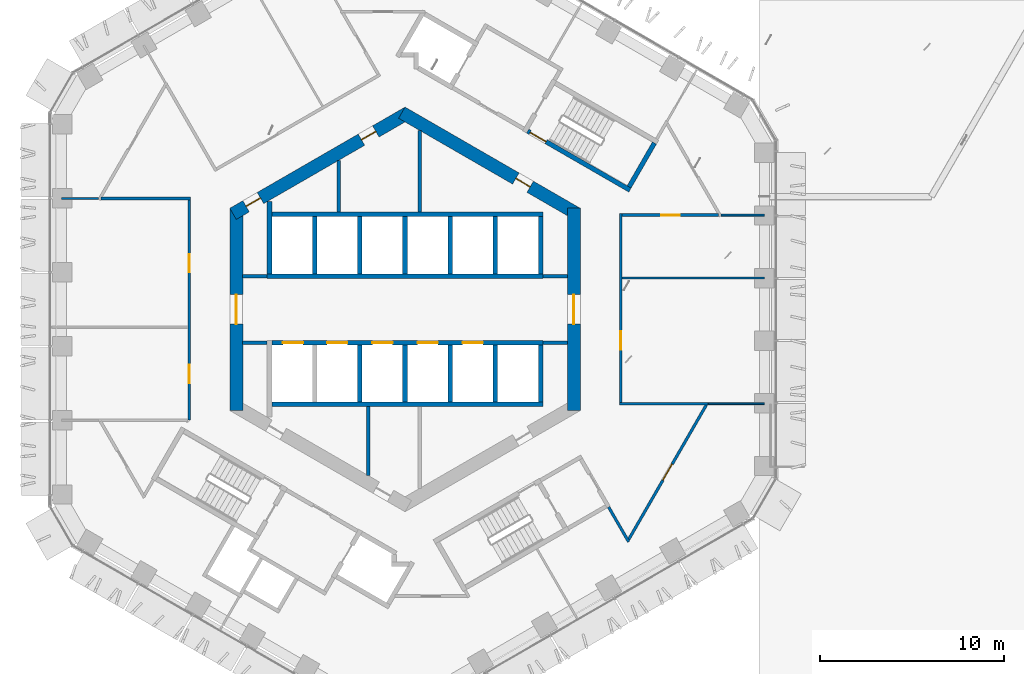
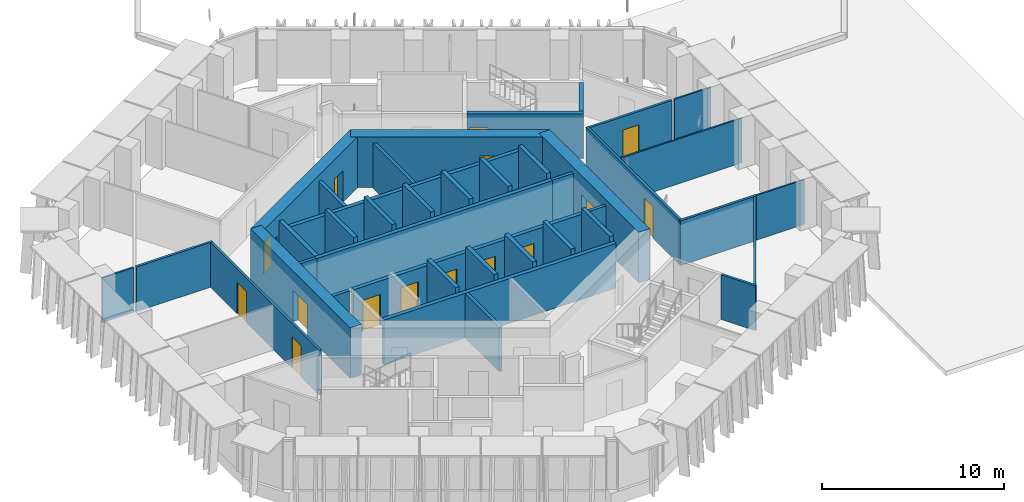
# One storey, part 15 of 25: 40 walls, 16 doors, 16 openings.
"""IFC4 building model written with IfcOpenShell, lengths in metres."""

from ifc_helpers import new_model, si_unit, direction, frame, frame_2d, origin, place, context, subcontext, project, spatial, rectangle, extrude, material, layer, layer_set, type_object, element, fill, save


model = new_model("IFC4")

# Units and contexts
model_context = context("Model", 3, precision=1e-05, world=origin(), true_north=direction((0.0, 1.0)))
body_context = subcontext(model_context, "Body", "Model", "MODEL_VIEW")
ifc_project = project(units=[si_unit("LENGTHUNIT", "METRE"), si_unit("AREAUNIT", "SQUARE_METRE"), si_unit("VOLUMEUNIT", "CUBIC_METRE"), si_unit("PLANEANGLEUNIT", "RADIAN"), si_unit("MASSUNIT", "GRAM", prefix="KILO")], contexts=[model_context])

# Site, building, storey
site_placement = place(None, origin())
site = spatial("IfcSite", under=ifc_project, at=site_placement, CompositionType="ELEMENT")
building_placement = place(site_placement, origin())
building = spatial("IfcBuilding", under=site, at=building_placement, Name="Ayvan Gate Tower", CompositionType="ELEMENT")
storey_placement = place(building_placement, frame((0.0, 0.0, 132.5)))
storey = spatial("IfcBuildingStorey", under=building, at=storey_placement, Name="L35", CompositionType="ELEMENT", Elevation=132.5)

# Wall, opening, door
ifc_material_1 = material(Name="Concrete C70/85", Category="concrete")
ifc_layer_1 = layer(ifc_material_1, 0.699951171875)
ifc_layer_set_1 = layer_set([ifc_layer_1], Name="Concrete C70/85")
wall_type_1 = type_object("IfcWallType", Name="Core wall 700 C70/85", PredefinedType="SHEAR", material=ifc_layer_set_1)
wall_1_placement = place(storey_placement, frame((9.14990234375, -5.48486328125, 0.0), z_axis=(0.0, 0.0, 1.0), x_axis=(0.0, 1.0, 0.0)))
wall_1 = element("IfcWall", 1, at=wall_1_placement, inside=storey, type_object=wall_type_1, Name="CORE-L35-0", PredefinedType="SHEAR", context=body_context, shape_type="SweptSolid", body=[
    extrude(rectangle(XDim=10.9697265625, YDim=0.699951171875, at=frame_2d((5.48486328125, 0.0))), origin(), (0.0, 0.0, 1.0), 3.39990234375),
])
opening_1_placement = place(wall_1_placement, frame((4.684814453125, 0.0, 0.0)))
opening_1 = element("IfcOpeningElement", 2, at=opening_1_placement, cuts=wall_1, Name="Opening L35-D36", PredefinedType="OPENING", context=body_context, shape_type="SweptSolid", body=[
    extrude(rectangle(XDim=1.60009765625, YDim=2.10009765625, at=frame_2d((0.800048828125, 1.050048828125))), frame((0.0, 0.35986328125, 0.0), z_axis=(0.0, -1.0, 0.0), x_axis=(1.0, 0.0, 0.0)), (0.0, 0.0, 1.0), 0.719970703125),
])
ifc_material_2 = material(Name="Timber door leaf", Category="wood")
door_type_1 = type_object("IfcDoorType", Name="DT-1600", OperationType="NOTDEFINED", PredefinedType="DOOR", material=ifc_material_2)
door_1_placement = place(opening_1_placement, origin())
door_1 = element("IfcDoor", 3, at=door_1_placement, inside=storey, type_object=door_type_1, Name="CD-L35-36", OperationType="SINGLE_SWING_LEFT", OverallHeight=2.10009765625, OverallWidth=1.60009765625, PredefinedType="DOOR", context=body_context, shape_type="SweptSolid", body=[
    extrude(rectangle(XDim=1.60009765625, YDim=2.10009765625, at=frame_2d((0.800048828125, 1.050048828125))), frame((0.0, 0.02490234375, 0.0), z_axis=(0.0, -1.0, 0.0), x_axis=(1.0, 0.0, 0.0)), (0.0, 0.0, 1.0), 0.050048828125),
])
fill(opening_1, door_1)

wall_2_placement = place(storey_placement, frame((9.324951171875, 5.181640625, 0.0), z_axis=(0.0, 0.0, 1.0), x_axis=(-0.866023993627, 0.500002442456, 0.0)))
wall_2 = element("IfcWall", 4, at=wall_2_placement, inside=storey, type_object=wall_type_1, Name="CORE-L35-1", PredefinedType="SHEAR", context=body_context, shape_type="SweptSolid", body=[
    extrude(rectangle(XDim=10.9697265625, YDim=0.699951171875, at=frame_2d((5.48486328125, 0.0))), origin(), (0.0, 0.0, 1.0), 3.39990234375),
])
opening_2_placement = place(wall_2_placement, frame((2.9326171875, 0.0, 0.0)))
opening_2 = element("IfcOpeningElement", 5, at=opening_2_placement, cuts=wall_2, Name="Opening L35-D32", PredefinedType="OPENING", context=body_context, shape_type="SweptSolid", body=[
    extrude(rectangle(XDim=0.89990234375, YDim=2.10009765625, at=frame_2d((0.449951171875, 1.050048828125))), frame((0.0, 0.35986328125, 0.0), z_axis=(0.0, -1.0, 0.0), x_axis=(1.0, 0.0, 0.0)), (0.0, 0.0, 1.0), 0.719970703125),
])
door_type_2 = type_object("IfcDoorType", Name="DT-900", OperationType="NOTDEFINED", PredefinedType="DOOR", material=ifc_material_2)
door_2_placement = place(opening_2_placement, origin())
door_2 = element("IfcDoor", 6, at=door_2_placement, inside=storey, type_object=door_type_2, Name="CD-L35-32", OperationType="SINGLE_SWING_LEFT", OverallHeight=2.10009765625, OverallWidth=0.89990234375, PredefinedType="DOOR", context=body_context, shape_type="SweptSolid", body=[
    extrude(rectangle(XDim=0.89990234375, YDim=2.10009765625, at=frame_2d((0.449951171875, 1.050048828125))), frame((0.0, 0.02490234375, 0.0), z_axis=(0.0, -1.0, 0.0), x_axis=(1.0, 0.0, 0.0)), (0.0, 0.0, 1.0), 0.050048828125),
])
fill(opening_2, door_2)

# Wall, openings, doors
wall_3_placement = place(storey_placement, frame((0.175048828125, 10.66650390625, 0.0), z_axis=(0.0, 0.0, 1.0), x_axis=(-0.866023993627, -0.500002442456, 0.0)))
wall_3 = element("IfcWall", 7, at=wall_3_placement, inside=storey, type_object=wall_type_1, Name="CORE-L35-2", PredefinedType="SHEAR", context=body_context, shape_type="SweptSolid", body=[
    extrude(rectangle(XDim=10.9697265625, YDim=0.699951171875, at=frame_2d((5.48486328125, 0.0))), origin(), (0.0, 0.0, 1.0), 3.39990234375),
])
opening_3_placement = place(wall_3_placement, frame((9.253662109375, 0.0, 0.0)))
opening_3 = element("IfcOpeningElement", 8, at=opening_3_placement, cuts=wall_3, Name="Opening L35-D30", PredefinedType="OPENING", context=body_context, shape_type="SweptSolid", body=[
    extrude(rectangle(XDim=0.89990234375, YDim=2.10009765625, at=frame_2d((0.449951171875, 1.050048828125))), frame((0.0, 0.35986328125, 0.0), z_axis=(0.0, -1.0, 0.0), x_axis=(1.0, 0.0, 0.0)), (0.0, 0.0, 1.0), 0.719970703125),
])
opening_4_placement = place(wall_3_placement, frame((2.033203125, 0.0, 0.0)))
opening_4 = element("IfcOpeningElement", 9, at=opening_4_placement, cuts=wall_3, Name="Opening L35-D31", PredefinedType="OPENING", context=body_context, shape_type="SweptSolid", body=[
    extrude(rectangle(XDim=0.89990234375, YDim=2.10009765625, at=frame_2d((0.449951171875, 1.050048828125))), frame((0.0, 0.35986328125, 0.0), z_axis=(0.0, -1.0, 0.0), x_axis=(1.0, 0.0, 0.0)), (0.0, 0.0, 1.0), 0.719970703125),
])
door_3_placement = place(opening_3_placement, origin())
door_3 = element("IfcDoor", 10, at=door_3_placement, inside=storey, type_object=door_type_2, Name="CD-L35-30", OperationType="SINGLE_SWING_LEFT", OverallHeight=2.10009765625, OverallWidth=0.89990234375, PredefinedType="DOOR", context=body_context, shape_type="SweptSolid", body=[
    extrude(rectangle(XDim=0.89990234375, YDim=2.10009765625, at=frame_2d((0.449951171875, 1.050048828125))), frame((0.0, 0.02490234375, 0.0), z_axis=(0.0, -1.0, 0.0), x_axis=(1.0, 0.0, 0.0)), (0.0, 0.0, 1.0), 0.050048828125),
])
fill(opening_3, door_3)
door_4_placement = place(opening_4_placement, origin())
door_4 = element("IfcDoor", 11, at=door_4_placement, inside=storey, type_object=door_type_2, Name="CD-L35-31", OperationType="SINGLE_SWING_RIGHT", OverallHeight=2.10009765625, OverallWidth=0.89990234375, PredefinedType="DOOR", context=body_context, shape_type="SweptSolid", body=[
    extrude(rectangle(XDim=0.89990234375, YDim=2.10009765625, at=frame_2d((0.449951171875, 1.050048828125))), frame((0.0, 0.02490234375, 0.0), z_axis=(0.0, -1.0, 0.0), x_axis=(1.0, 0.0, 0.0)), (0.0, 0.0, 1.0), 0.050048828125),
])
fill(opening_4, door_4)

# Wall, opening, door
wall_4_placement = place(storey_placement, frame((-9.14990234375, 5.48486328125, 0.0), z_axis=(0.0, 0.0, 1.0), x_axis=(0.0, -1.0, 0.0)))
wall_4 = element("IfcWall", 12, at=wall_4_placement, inside=storey, type_object=wall_type_1, Name="CORE-L35-3", PredefinedType="SHEAR", context=body_context, shape_type="SweptSolid", body=[
    extrude(rectangle(XDim=10.9697265625, YDim=0.699951171875, at=frame_2d((5.48486328125, 0.0))), origin(), (0.0, 0.0, 1.0), 3.39990234375),
])
opening_5_placement = place(wall_4_placement, frame((4.684814453125, 0.0, 0.0)))
opening_5 = element("IfcOpeningElement", 13, at=opening_5_placement, cuts=wall_4, Name="Opening L35-D37", PredefinedType="OPENING", context=body_context, shape_type="SweptSolid", body=[
    extrude(rectangle(XDim=1.60009765625, YDim=2.10009765625, at=frame_2d((0.800048828125, 1.050048828125))), frame((0.0, 0.35986328125, 0.0), z_axis=(0.0, -1.0, 0.0), x_axis=(1.0, 0.0, 0.0)), (0.0, 0.0, 1.0), 0.719970703125),
])
door_5_placement = place(opening_5_placement, origin())
door_5 = element("IfcDoor", 14, at=door_5_placement, inside=storey, type_object=door_type_1, Name="CD-L35-37", OperationType="SINGLE_SWING_RIGHT", OverallHeight=2.10009765625, OverallWidth=1.60009765625, PredefinedType="DOOR", context=body_context, shape_type="SweptSolid", body=[
    extrude(rectangle(XDim=1.60009765625, YDim=2.10009765625, at=frame_2d((0.800048828125, 1.050048828125))), frame((0.0, 0.02490234375, 0.0), z_axis=(0.0, -1.0, 0.0), x_axis=(1.0, 0.0, 0.0)), (0.0, 0.0, 1.0), 0.050048828125),
])
fill(opening_5, door_5)

# Wall
ifc_material_3 = material(Name="Plasterboard on steel stud", Category="steel")
ifc_layer_2 = layer(ifc_material_3, 0.14990234375)
ifc_layer_set_2 = layer_set([ifc_layer_2], Name="Plasterboard on steel stud")
wall_type_2 = type_object("IfcWallType", Name="WT-CORR-150", PredefinedType="PARTITIONING", material=ifc_layer_set_2)
wall_5_placement = place(storey_placement, frame((-11.625, 6.009521484375, 0.0), z_axis=(0.0, 0.0, 1.0), x_axis=(-1.0, 0.0, 0.0)))
element("IfcWall", 15, at=wall_5_placement, inside=storey, type_object=wall_type_2, Name="IW-L35-011", PredefinedType="PARTITIONING", context=body_context, shape_type="SweptSolid", body=[
    extrude(rectangle(XDim=4.8505859375, YDim=0.14990234375, at=frame_2d((2.42529296875, 0.0))), origin(), (0.0, 0.0, 1.0), 3.0),
])

# Wall, openings, doors
wall_6_placement = place(storey_placement, frame((-11.699951171875, -6.009521484375, 0.0), z_axis=(0.0, 0.0, 1.0), x_axis=(0.0, 1.0, 0.0)))
wall_6 = element("IfcWall", 16, at=wall_6_placement, inside=storey, type_object=wall_type_2, Name="IW-L35-012", PredefinedType="PARTITIONING", context=body_context, shape_type="SweptSolid", body=[
    extrude(rectangle(XDim=11.944091796875, YDim=0.14990234375, at=frame_2d((5.97216796875, 0.0))), origin(), (0.0, 0.0, 1.0), 3.0),
])
opening_6_placement = place(wall_6_placement, frame((8.010986328125, 0.0, 0.0)))
opening_6 = element("IfcOpeningElement", 17, at=opening_6_placement, cuts=wall_6, Name="Opening L35-D23", PredefinedType="OPENING", context=body_context, shape_type="SweptSolid", body=[
    extrude(rectangle(XDim=1.0, YDim=2.10009765625, at=frame_2d((0.5, 1.050048828125))), frame((0.0, 0.0849609375, 0.0), z_axis=(0.0, -1.0, 0.0), x_axis=(1.0, 0.0, 0.0)), (0.0, 0.0, 1.0), 0.169921875),
])
opening_7_placement = place(wall_6_placement, frame((2.009033203125, 0.0, 0.0)))
opening_7 = element("IfcOpeningElement", 18, at=opening_7_placement, cuts=wall_6, Name="Opening L35-D24", PredefinedType="OPENING", context=body_context, shape_type="SweptSolid", body=[
    extrude(rectangle(XDim=1.0, YDim=2.10009765625, at=frame_2d((0.5, 1.050048828125))), frame((0.0, 0.0849609375, 0.0), z_axis=(0.0, -1.0, 0.0), x_axis=(1.0, 0.0, 0.0)), (0.0, 0.0, 1.0), 0.169921875),
])
door_type_3 = type_object("IfcDoorType", Name="DT-1000", OperationType="NOTDEFINED", PredefinedType="DOOR", material=ifc_material_2)
door_6_placement = place(opening_6_placement, origin())
door_6 = element("IfcDoor", 19, at=door_6_placement, inside=storey, type_object=door_type_3, Name="ID-L35-023", OperationType="SINGLE_SWING_RIGHT", OverallHeight=2.10009765625, OverallWidth=1.0, PredefinedType="DOOR", context=body_context, shape_type="SweptSolid", body=[
    extrude(rectangle(XDim=1.0, YDim=2.10009765625, at=frame_2d((0.5, 1.050048828125))), frame((0.0, 0.02490234375, 0.0), z_axis=(0.0, -1.0, 0.0), x_axis=(1.0, 0.0, 0.0)), (0.0, 0.0, 1.0), 0.050048828125),
])
fill(opening_6, door_6)
door_7_placement = place(opening_7_placement, origin())
door_7 = element("IfcDoor", 20, at=door_7_placement, inside=storey, type_object=door_type_3, Name="ID-L35-024", OperationType="SINGLE_SWING_LEFT", OverallHeight=2.10009765625, OverallWidth=1.0, PredefinedType="DOOR", context=body_context, shape_type="SweptSolid", body=[
    extrude(rectangle(XDim=1.0, YDim=2.10009765625, at=frame_2d((0.5, 1.050048828125))), frame((0.0, 0.02490234375, 0.0), z_axis=(0.0, -1.0, 0.0), x_axis=(1.0, 0.0, 0.0)), (0.0, 0.0, 1.0), 0.050048828125),
])
fill(opening_7, door_7)

# Wall
wall_7_placement = place(storey_placement, frame((11.625, -5.11328125, 0.0), z_axis=(0.0, 0.0, 1.0), x_axis=(1.0, 0.0, 0.0)))
element("IfcWall", 21, at=wall_7_placement, inside=storey, type_object=wall_type_2, Name="IW-L35-087", PredefinedType="PARTITIONING", context=body_context, shape_type="SweptSolid", body=[
    extrude(rectangle(XDim=4.8251953125, YDim=0.14990234375, at=frame_2d((2.41259765625, 0.0))), origin(), (0.0, 0.0, 1.0), 3.0),
])

# Wall, opening, door
wall_8_placement = place(storey_placement, frame((11.699951171875, -5.038330078125, 0.0), z_axis=(0.0, 0.0, 1.0), x_axis=(0.0, 1.0, 0.0)))
wall_8 = element("IfcWall", 22, at=wall_8_placement, inside=storey, type_object=wall_type_2, Name="IW-L35-088", PredefinedType="PARTITIONING", context=body_context, shape_type="SweptSolid", body=[
    extrude(rectangle(XDim=10.226806640625, YDim=0.14990234375, at=frame_2d((5.11328125, 0.0))), origin(), (0.0, 0.0, 1.0), 3.0),
])
opening_8_placement = place(wall_8_placement, frame((2.8564453125, 0.0, 0.0)))
opening_8 = element("IfcOpeningElement", 23, at=opening_8_placement, cuts=wall_8, Name="Opening L35-D17", PredefinedType="OPENING", context=body_context, shape_type="SweptSolid", body=[
    extrude(rectangle(XDim=1.0, YDim=2.10009765625, at=frame_2d((0.5, 1.050048828125))), frame((0.0, 0.0849609375, 0.0), z_axis=(0.0, -1.0, 0.0), x_axis=(1.0, 0.0, 0.0)), (0.0, 0.0, 1.0), 0.169921875),
])
door_8_placement = place(opening_8_placement, origin())
door_8 = element("IfcDoor", 24, at=door_8_placement, inside=storey, type_object=door_type_3, Name="ID-L35-017", OperationType="SINGLE_SWING_RIGHT", OverallHeight=2.10009765625, OverallWidth=1.0, PredefinedType="DOOR", context=body_context, shape_type="SweptSolid", body=[
    extrude(rectangle(XDim=1.0, YDim=2.10009765625, at=frame_2d((0.5, 1.050048828125))), frame((0.0, 0.02490234375, 0.0), z_axis=(0.0, -1.0, 0.0), x_axis=(1.0, 0.0, 0.0)), (0.0, 0.0, 1.0), 0.050048828125),
])
fill(opening_8, door_8)

# Wall
wall_9_placement = place(storey_placement, frame((12.126220703125, -12.60302734375, 0.0), z_axis=(0.0, 0.0, 1.0), x_axis=(-0.499997407846, 0.86602690036, 0.0)))
element("IfcWall", 25, at=wall_9_placement, inside=storey, type_object=wall_type_2, Name="IW-L35-091", PredefinedType="PARTITIONING", context=body_context, shape_type="SweptSolid", body=[
    extrude(rectangle(XDim=2.177734375, YDim=0.14990234375, at=frame_2d((1.0888671875, 0.0))), origin(), (0.0, 0.0, 1.0), 3.0),
])

# Wall, opening, door
wall_10_placement = place(storey_placement, frame((16.337646484375, -5.17822265625, 0.0), z_axis=(0.0, 0.0, 1.0), x_axis=(-0.499973348067, -0.866040790738, 0.0)))
wall_10 = element("IfcWall", 26, at=wall_10_placement, inside=storey, type_object=wall_type_2, Name="IW-L35-096", PredefinedType="PARTITIONING", context=body_context, shape_type="SweptSolid", body=[
    extrude(rectangle(XDim=8.42333984375, YDim=0.14990234375, at=frame_2d((4.211669921875, 0.0))), origin(), (0.0, 0.0, 1.0), 3.0),
])
opening_9_placement = place(wall_10_placement, frame((3.711669921875, 0.0, 0.0)))
opening_9 = element("IfcOpeningElement", 27, at=opening_9_placement, cuts=wall_10, Name="Opening L35-D27", PredefinedType="OPENING", context=body_context, shape_type="SweptSolid", body=[
    extrude(rectangle(XDim=1.0, YDim=2.10009765625, at=frame_2d((0.5, 1.050048828125))), frame((0.0, 0.0849609375, 0.0), z_axis=(0.0, -1.0, 0.0), x_axis=(1.0, 0.0, 0.0)), (0.0, 0.0, 1.0), 0.169921875),
])
door_9_placement = place(opening_9_placement, origin())
door_9 = element("IfcDoor", 28, at=door_9_placement, inside=storey, type_object=door_type_3, Name="ID-L35-027", OperationType="SINGLE_SWING_RIGHT", OverallHeight=2.10009765625, OverallWidth=1.0, PredefinedType="DOOR", context=body_context, shape_type="SweptSolid", body=[
    extrude(rectangle(XDim=1.0, YDim=2.10009765625, at=frame_2d((0.5, 1.050048828125))), frame((0.0, 0.02490234375, 0.0), z_axis=(0.0, -1.0, 0.0), x_axis=(1.0, 0.0, 0.0)), (0.0, 0.0, 1.0), 0.050048828125),
])
fill(opening_9, door_9)

wall_11_placement = place(storey_placement, frame((16.9931640625, 5.11328125, 0.0), z_axis=(0.0, 0.0, 1.0), x_axis=(-1.0, 0.0, 0.0)))
wall_11 = element("IfcWall", 29, at=wall_11_placement, inside=storey, type_object=wall_type_2, Name="IW-L35-097", PredefinedType="PARTITIONING", context=body_context, shape_type="SweptSolid", body=[
    extrude(rectangle(XDim=5.21826171875, YDim=0.14990234375, at=frame_2d((2.609130859375, 0.0))), origin(), (0.0, 0.0, 1.0), 3.0),
])
opening_10_placement = place(wall_11_placement, frame((2.10888671875, 0.0, 0.0)))
opening_10 = element("IfcOpeningElement", 30, at=opening_10_placement, cuts=wall_11, Name="Opening L35-D18", PredefinedType="OPENING", context=body_context, shape_type="SweptSolid", body=[
    extrude(rectangle(XDim=1.0, YDim=2.10009765625, at=frame_2d((0.5, 1.050048828125))), frame((0.0, 0.0849609375, 0.0), z_axis=(0.0, -1.0, 0.0), x_axis=(1.0, 0.0, 0.0)), (0.0, 0.0, 1.0), 0.169921875),
])
door_10_placement = place(opening_10_placement, origin())
door_10 = element("IfcDoor", 31, at=door_10_placement, inside=storey, type_object=door_type_3, Name="ID-L35-018", OperationType="SINGLE_SWING_LEFT", OverallHeight=2.10009765625, OverallWidth=1.0, PredefinedType="DOOR", context=body_context, shape_type="SweptSolid", body=[
    extrude(rectangle(XDim=1.0, YDim=2.10009765625, at=frame_2d((0.5, 1.050048828125))), frame((0.0, 0.02490234375, 0.0), z_axis=(0.0, -1.0, 0.0), x_axis=(1.0, 0.0, 0.0)), (0.0, 0.0, 1.0), 0.050048828125),
])
fill(opening_10, door_10)

# Walls
ifc_layer_3 = layer(ifc_material_3, 0.10009765625)
ifc_layer_set_3 = layer_set([ifc_layer_3], Name="Plasterboard on steel stud")
wall_type_3 = type_object("IfcWallType", Name="WT-PART-100", PredefinedType="PARTITIONING", material=ifc_layer_set_3)
wall_12_placement = place(storey_placement, frame((-16.625732421875, 6.009521484375, 0.0), z_axis=(0.0, 0.0, 1.0), x_axis=(-1.0, 0.0, 0.0)))
element("IfcWall", 32, at=wall_12_placement, inside=storey, type_object=wall_type_3, Name="IW-L35-002", PredefinedType="PARTITIONING", context=body_context, shape_type="SweptSolid", body=[
    extrude(rectangle(XDim=1.99755859375, YDim=0.10009765625, at=frame_2d((0.998779296875, 0.0))), origin(), (0.0, 0.0, 1.0), 3.0),
])
wall_13_placement = place(storey_placement, frame((11.77490234375, 1.70458984375, 0.0), z_axis=(0.0, 0.0, 1.0), x_axis=(1.0, 0.0, 0.0)))
element("IfcWall", 33, at=wall_13_placement, inside=storey, type_object=wall_type_3, Name="IW-L35-089", PredefinedType="PARTITIONING", context=body_context, shape_type="SweptSolid", body=[
    extrude(rectangle(XDim=7.710693359375, YDim=0.10009765625, at=frame_2d((3.85546875, 0.0))), origin(), (0.0, 0.0, 1.0), 3.0),
])
wall_14_placement = place(storey_placement, frame((17.14306640625, 5.11328125, 0.0), z_axis=(0.0, 0.0, 1.0), x_axis=(1.0, 0.0, 0.0)))
element("IfcWall", 34, at=wall_14_placement, inside=storey, type_object=wall_type_3, Name="IW-L35-098", PredefinedType="PARTITIONING", context=body_context, shape_type="SweptSolid", body=[
    extrude(rectangle(XDim=2.342529296875, YDim=0.10009765625, at=frame_2d((1.17138671875, 0.0))), origin(), (0.0, 0.0, 1.0), 3.0),
])
wall_15_placement = place(storey_placement, frame((19.485595703125, -5.11328125, 0.0), z_axis=(0.0, 0.0, 1.0), x_axis=(-1.0, 0.0, 0.0)))
element("IfcWall", 35, at=wall_15_placement, inside=storey, type_object=wall_type_3, Name="IW-L35-099", PredefinedType="PARTITIONING", context=body_context, shape_type="SweptSolid", body=[
    extrude(rectangle(XDim=3.035400390625, YDim=0.10009765625, at=frame_2d((1.517578125, 0.0))), origin(), (0.0, 0.0, 1.0), 3.0),
])
ifc_layer_4 = layer(ifc_material_3, 0.199951171875)
ifc_layer_set_4 = layer_set([ifc_layer_4], Name="Plasterboard on steel stud")
wall_type_4 = type_object("IfcWallType", Name="WT-RATED-200", PredefinedType="PARTITIONING", material=ifc_layer_set_4)
for number, where, z_axis, x_axis, name in (
    (36, (-8.800048828125, 1.800048828125, 0.0), (0.0, 0.0, 1.0), (1.0, 0.0, 0.0), "IW-L35-018"),
    (37, (-7.474853515625, -1.800048828125, 0.0), (0.0, 0.0, 1.0), (-1.0, 0.0, 0.0), "IW-L35-026"),
):
    element("IfcWall", number, at=place(storey_placement, frame(where, z_axis=z_axis, x_axis=x_axis)), inside=storey, type_object=wall_type_4, Name=name, PredefinedType="PARTITIONING", context=body_context, shape_type="SweptSolid", body=[
        extrude(rectangle(XDim=1.3251953125, YDim=0.199951171875, at=frame_2d((0.66259765625, 0.0))), origin(), (0.0, 0.0, 1.0), 3.0),
    ])
wall_16_placement = place(storey_placement, frame((-3.60009765625, 8.0830078125, 0.0), z_axis=(0.0, 0.0, 1.0), x_axis=(0.0, -1.0, 0.0)))
element("IfcWall", 38, at=wall_16_placement, inside=storey, type_object=wall_type_4, Name="IW-L35-038", PredefinedType="PARTITIONING", context=body_context, shape_type="SweptSolid", body=[
    extrude(rectangle(XDim=2.80810546875, YDim=0.199951171875, at=frame_2d((1.404052734375, 0.0))), origin(), (0.0, 0.0, 1.0), 3.0),
])
wall_17_placement = place(storey_placement, frame((-2.0, -5.27490234375, 0.0), z_axis=(0.0, 0.0, 1.0), x_axis=(0.0, -1.0, 0.0)))
element("IfcWall", 39, at=wall_17_placement, inside=storey, type_object=wall_type_4, Name="IW-L35-045", PredefinedType="PARTITIONING", context=body_context, shape_type="SweptSolid", body=[
    extrude(rectangle(XDim=3.731689453125, YDim=0.199951171875, at=frame_2d((1.86572265625, 0.0))), origin(), (0.0, 0.0, 1.0), 3.0),
])
wall_18_placement = place(storey_placement, frame((0.800048828125, 9.699462890625, 0.0), z_axis=(0.0, 0.0, 1.0), x_axis=(0.0, -1.0, 0.0)))
element("IfcWall", 40, at=wall_18_placement, inside=storey, type_object=wall_type_4, Name="IW-L35-057", PredefinedType="PARTITIONING", context=body_context, shape_type="SweptSolid", body=[
    extrude(rectangle(XDim=4.424560546875, YDim=0.199951171875, at=frame_2d((2.21240234375, 0.0))), origin(), (0.0, 0.0, 1.0), 3.0),
])
for number, where, z_axis, x_axis, name in (
    (41, (7.474853515625, 1.800048828125, 0.0), (0.0, 0.0, 1.0), (1.0, 0.0, 0.0), "IW-L35-078"),
    (42, (8.800048828125, -1.800048828125, 0.0), (0.0, 0.0, 1.0), (-1.0, 0.0, 0.0), "IW-L35-084"),
):
    element("IfcWall", number, at=place(storey_placement, frame(where, z_axis=z_axis, x_axis=x_axis)), inside=storey, type_object=wall_type_4, Name=name, PredefinedType="PARTITIONING", context=body_context, shape_type="SweptSolid", body=[
        extrude(rectangle(XDim=1.3251953125, YDim=0.199951171875, at=frame_2d((0.66259765625, 0.0))), origin(), (0.0, 0.0, 1.0), 3.0),
    ])
ifc_material_4 = material(Name="Concrete C50/60", Category="concrete")
ifc_layer_5 = layer(ifc_material_4, 0.25)
ifc_layer_set_5 = layer_set([ifc_layer_5], Name="Concrete C50/60")
wall_type_5 = type_object("IfcWallType", Name="WT-RC-250", PredefinedType="SHEAR", material=ifc_layer_set_5)
wall_19_placement = place(storey_placement, frame((-7.47509765625, 1.800048828125, 0.0), z_axis=(0.0, 0.0, 1.0), x_axis=(1.0, 0.0, 0.0)))
element("IfcWall", 43, at=wall_19_placement, inside=storey, type_object=wall_type_5, Name="IW-L35-022", PredefinedType="SHEAR", context=body_context, shape_type="SweptSolid", body=[
    extrude(rectangle(XDim=14.9501953125, YDim=0.25, at=frame_2d((7.47509765625, 0.0))), origin(), (0.0, 0.0, 1.0), 3.0),
])
wall_20_placement = place(storey_placement, frame((-7.35009765625, 1.925048828125, 0.0), z_axis=(0.0, 0.0, 1.0), x_axis=(0.0, 1.0, 0.0)))
element("IfcWall", 44, at=wall_20_placement, inside=storey, type_object=wall_type_5, Name="IW-L35-024", PredefinedType="SHEAR", context=body_context, shape_type="SweptSolid", body=[
    extrude(rectangle(XDim=3.920654296875, YDim=0.25, at=frame_2d((1.96044921875, 0.0))), origin(), (0.0, 0.0, 1.0), 3.0),
])
for number, where, z_axis, x_axis, name in (
    (45, (-7.22509765625, 5.14990234375, 0.0), (0.0, 0.0, 1.0), (1.0, 0.0, 0.0), "IW-L35-025"),
    (46, (-7.22509765625, -5.14990234375, 0.0), (0.0, 0.0, 1.0), (1.0, 0.0, 0.0), "IW-L35-031"),
):
    element("IfcWall", number, at=place(storey_placement, frame(where, z_axis=z_axis, x_axis=x_axis)), inside=storey, type_object=wall_type_5, Name=name, PredefinedType="SHEAR", context=body_context, shape_type="SweptSolid", body=[
        extrude(rectangle(XDim=14.7001953125, YDim=0.25, at=frame_2d((7.35009765625, 0.0))), origin(), (0.0, 0.0, 1.0), 3.0),
    ])
wall_21_placement = place(storey_placement, frame((-4.89990234375, 5.02490234375, 0.0), z_axis=(0.0, 0.0, 1.0), x_axis=(0.0, -1.0, 0.0)))
element("IfcWall", 47, at=wall_21_placement, inside=storey, type_object=wall_type_5, Name="IW-L35-033", PredefinedType="SHEAR", context=body_context, shape_type="SweptSolid", body=[
    extrude(rectangle(XDim=3.099853515625, YDim=0.25, at=frame_2d((1.5498046875, 0.0))), origin(), (0.0, 0.0, 1.0), 3.39990234375),
])

# Wall, openings, doors
wall_22_placement = place(storey_placement, frame((-7.22509765625, -1.800048828125, 0.0), z_axis=(0.0, 0.0, 1.0), x_axis=(1.0, 0.0, 0.0)))
wall_22 = element("IfcWall", 48, at=wall_22_placement, inside=storey, type_object=wall_type_5, Name="IW-L35-034", PredefinedType="SHEAR", context=body_context, shape_type="SweptSolid", body=[
    extrude(rectangle(XDim=14.7001953125, YDim=0.25, at=frame_2d((7.35009765625, 0.0))), origin(), (0.0, 0.0, 1.0), 3.0),
])
opening_11_placement = place(wall_22_placement, frame((0.597412109375, 0.0, 0.0)))
opening_11 = element("IfcOpeningElement", 49, at=opening_11_placement, cuts=wall_22, Name="Opening L35-LD-LR1", PredefinedType="OPENING", context=body_context, shape_type="SweptSolid", body=[
    extrude(rectangle(XDim=1.10009765625, YDim=2.10009765625, at=frame_2d((0.550048828125, 1.050048828125))), frame((0.0, 0.135009765625, 0.0), z_axis=(0.0, -1.0, 0.0), x_axis=(1.0, 0.0, 0.0)), (0.0, 0.0, 1.0), 0.27001953125),
])
opening_12_placement = place(wall_22_placement, frame((3.0, 0.0, 0.0)))
opening_12 = element("IfcOpeningElement", 50, at=opening_12_placement, cuts=wall_22, Name="Opening L35-LD-LR2", PredefinedType="OPENING", context=body_context, shape_type="SweptSolid", body=[
    extrude(rectangle(XDim=1.10009765625, YDim=2.10009765625, at=frame_2d((0.550048828125, 1.050048828125))), frame((0.0, 0.135009765625, 0.0), z_axis=(0.0, -1.0, 0.0), x_axis=(1.0, 0.0, 0.0)), (0.0, 0.0, 1.0), 0.27001953125),
])
opening_13_placement = place(wall_22_placement, frame((5.4501953125, 0.0, 0.0)))
opening_13 = element("IfcOpeningElement", 51, at=opening_13_placement, cuts=wall_22, Name="Opening L35-LD-LR3", PredefinedType="OPENING", context=body_context, shape_type="SweptSolid", body=[
    extrude(rectangle(XDim=1.10009765625, YDim=2.10009765625, at=frame_2d((0.550048828125, 1.050048828125))), frame((0.0, 0.135009765625, 0.0), z_axis=(0.0, -1.0, 0.0), x_axis=(1.0, 0.0, 0.0)), (0.0, 0.0, 1.0), 0.27001953125),
])
opening_14_placement = place(wall_22_placement, frame((7.900146484375, 0.0, 0.0)))
opening_14 = element("IfcOpeningElement", 52, at=opening_14_placement, cuts=wall_22, Name="Opening L35-LD-LR4", PredefinedType="OPENING", context=body_context, shape_type="SweptSolid", body=[
    extrude(rectangle(XDim=1.10009765625, YDim=2.10009765625, at=frame_2d((0.550048828125, 1.050048828125))), frame((0.0, 0.135009765625, 0.0), z_axis=(0.0, -1.0, 0.0), x_axis=(1.0, 0.0, 0.0)), (0.0, 0.0, 1.0), 0.27001953125),
])
opening_15_placement = place(wall_22_placement, frame((10.35009765625, 0.0, 0.0)))
opening_15 = element("IfcOpeningElement", 53, at=opening_15_placement, cuts=wall_22, Name="Opening L35-LD-SV", PredefinedType="OPENING", context=body_context, shape_type="SweptSolid", body=[
    extrude(rectangle(XDim=1.10009765625, YDim=2.10009765625, at=frame_2d((0.550048828125, 1.050048828125))), frame((0.0, 0.135009765625, 0.0), z_axis=(0.0, -1.0, 0.0), x_axis=(1.0, 0.0, 0.0)), (0.0, 0.0, 1.0), 0.27001953125),
])
ifc_material_5 = material(Name="Stainless steel landing door", Category="steel")
door_type_4 = type_object("IfcDoorType", Name="DT-LANDING-1100", OperationType="SLIDING_TO_LEFT", PredefinedType="DOOR", material=ifc_material_5)
door_11_placement = place(opening_11_placement, origin())
door_11 = element("IfcDoor", 54, at=door_11_placement, inside=storey, type_object=door_type_4, Name="ID-L35-001", OperationType="SLIDING_TO_LEFT", OverallHeight=2.10009765625, OverallWidth=1.10009765625, PredefinedType="DOOR", context=body_context, shape_type="SweptSolid", body=[
    extrude(rectangle(XDim=1.10009765625, YDim=2.10009765625, at=frame_2d((0.550048828125, 1.050048828125))), frame((0.0, 0.02490234375, 0.0), z_axis=(0.0, -1.0, 0.0), x_axis=(1.0, 0.0, 0.0)), (0.0, 0.0, 1.0), 0.050048828125),
])
fill(opening_11, door_11)
door_12_placement = place(opening_12_placement, origin())
door_12 = element("IfcDoor", 55, at=door_12_placement, inside=storey, type_object=door_type_4, Name="ID-L35-002", OperationType="SLIDING_TO_LEFT", OverallHeight=2.10009765625, OverallWidth=1.10009765625, PredefinedType="DOOR", context=body_context, shape_type="SweptSolid", body=[
    extrude(rectangle(XDim=1.10009765625, YDim=2.10009765625, at=frame_2d((0.550048828125, 1.050048828125))), frame((0.0, 0.02490234375, 0.0), z_axis=(0.0, -1.0, 0.0), x_axis=(1.0, 0.0, 0.0)), (0.0, 0.0, 1.0), 0.050048828125),
])
fill(opening_12, door_12)
door_13_placement = place(opening_13_placement, origin())
door_13 = element("IfcDoor", 56, at=door_13_placement, inside=storey, type_object=door_type_4, Name="ID-L35-003", OperationType="SLIDING_TO_LEFT", OverallHeight=2.10009765625, OverallWidth=1.10009765625, PredefinedType="DOOR", context=body_context, shape_type="SweptSolid", body=[
    extrude(rectangle(XDim=1.10009765625, YDim=2.10009765625, at=frame_2d((0.550048828125, 1.050048828125))), frame((0.0, 0.02490234375, 0.0), z_axis=(0.0, -1.0, 0.0), x_axis=(1.0, 0.0, 0.0)), (0.0, 0.0, 1.0), 0.050048828125),
])
fill(opening_13, door_13)
door_14_placement = place(opening_14_placement, origin())
door_14 = element("IfcDoor", 57, at=door_14_placement, inside=storey, type_object=door_type_4, Name="ID-L35-004", OperationType="SLIDING_TO_LEFT", OverallHeight=2.10009765625, OverallWidth=1.10009765625, PredefinedType="DOOR", context=body_context, shape_type="SweptSolid", body=[
    extrude(rectangle(XDim=1.10009765625, YDim=2.10009765625, at=frame_2d((0.550048828125, 1.050048828125))), frame((0.0, 0.02490234375, 0.0), z_axis=(0.0, -1.0, 0.0), x_axis=(1.0, 0.0, 0.0)), (0.0, 0.0, 1.0), 0.050048828125),
])
fill(opening_14, door_14)
door_15_placement = place(opening_15_placement, origin())
door_15 = element("IfcDoor", 58, at=door_15_placement, inside=storey, type_object=door_type_4, Name="ID-L35-005", OperationType="SLIDING_TO_LEFT", OverallHeight=2.10009765625, OverallWidth=1.10009765625, PredefinedType="DOOR", context=body_context, shape_type="SweptSolid", body=[
    extrude(rectangle(XDim=1.10009765625, YDim=2.10009765625, at=frame_2d((0.550048828125, 1.050048828125))), frame((0.0, 0.02490234375, 0.0), z_axis=(0.0, -1.0, 0.0), x_axis=(1.0, 0.0, 0.0)), (0.0, 0.0, 1.0), 0.050048828125),
])
fill(opening_15, door_15)

# Walls
for number, where, z_axis, x_axis, name in (
    (59, (-2.449951171875, -1.925048828125, 0.0), (0.0, 0.0, 1.0), (0.0, -1.0, 0.0), "IW-L35-043"),
    (60, (-2.449951171875, 5.02490234375, 0.0), (0.0, 0.0, 1.0), (0.0, -1.0, 0.0), "IW-L35-044"),
    (61, (0.0, -1.925048828125, 0.0), (0.0, 0.0, 1.0), (0.0, -1.0, 0.0), "IW-L35-052"),
    (62, (0.0, 5.02490234375, 0.0), (0.0, 0.0, 1.0), (0.0, -1.0, 0.0), "IW-L35-053"),
    (63, (2.449951171875, -1.925048828125, 0.0), (0.0, 0.0, 1.0), (0.0, -1.0, 0.0), "IW-L35-061"),
    (64, (2.449951171875, 5.02490234375, 0.0), (0.0, 0.0, 1.0), (0.0, -1.0, 0.0), "IW-L35-062"),
    (65, (4.89990234375, -1.925048828125, 0.0), (0.0, 0.0, 1.0), (0.0, -1.0, 0.0), "IW-L35-070"),
    (66, (4.89990234375, 5.02490234375, 0.0), (0.0, 0.0, 1.0), (0.0, -1.0, 0.0), "IW-L35-071"),
    (67, (7.35009765625, -1.925048828125, 0.0), (0.0, 0.0, 1.0), (0.0, -1.0, 0.0), "IW-L35-079"),
    (68, (7.35009765625, 5.02490234375, 0.0), (0.0, 0.0, 1.0), (0.0, -1.0, 0.0), "IW-L35-080"),
):
    element("IfcWall", number, at=place(storey_placement, frame(where, z_axis=z_axis, x_axis=x_axis)), inside=storey, type_object=wall_type_5, Name=name, PredefinedType="SHEAR", context=body_context, shape_type="SweptSolid", body=[
        extrude(rectangle(XDim=3.099853515625, YDim=0.25, at=frame_2d((1.5498046875, 0.0))), origin(), (0.0, 0.0, 1.0), 3.39990234375),
    ])

# Wall, opening, door
wall_23_placement = place(storey_placement, frame((12.193603515625, 6.469970703125, 0.0), z_axis=(0.0, 0.0, 1.0), x_axis=(-0.866025499775, 0.499999833739, 0.0)))
wall_23 = element("IfcWall", 69, at=wall_23_placement, inside=storey, type_object=wall_type_5, Name="IW-L35-090", PredefinedType="SHEAR", context=body_context, shape_type="SweptSolid", body=[
    extrude(rectangle(XDim=6.39990234375, YDim=0.25, at=frame_2d((3.199951171875, 0.0))), origin(), (0.0, 0.0, 1.0), 3.0),
])
opening_16_placement = place(wall_23_placement, frame((5.25, 0.0, 0.0)))
opening_16 = element("IfcOpeningElement", 70, at=opening_16_placement, cuts=wall_23, Name="Opening L35-D06", PredefinedType="OPENING", context=body_context, shape_type="SweptSolid", body=[
    extrude(rectangle(XDim=1.0, YDim=2.10009765625, at=frame_2d((0.5, 1.050048828125))), frame((0.0, 0.135009765625, 0.0), z_axis=(0.0, -1.0, 0.0), x_axis=(1.0, 0.0, 0.0)), (0.0, 0.0, 1.0), 0.27001953125),
])
door_16_placement = place(opening_16_placement, origin())
door_16 = element("IfcDoor", 71, at=door_16_placement, inside=storey, type_object=door_type_3, Name="ID-L35-006", OperationType="SINGLE_SWING_LEFT", OverallHeight=2.10009765625, OverallWidth=1.0, PredefinedType="DOOR", context=body_context, shape_type="SweptSolid", body=[
    extrude(rectangle(XDim=1.0, YDim=2.10009765625, at=frame_2d((0.5, 1.050048828125))), frame((0.0, 0.02490234375, 0.0), z_axis=(0.0, -1.0, 0.0), x_axis=(1.0, 0.0, 0.0)), (0.0, 0.0, 1.0), 0.050048828125),
])
fill(opening_16, door_16)

# Wall
wall_24_placement = place(storey_placement, frame((13.52294921875, 9.022216796875, 0.0), z_axis=(0.0, 0.0, 1.0), x_axis=(-0.500034990121, -0.866005201286, 0.0)))
element("IfcWall", 72, at=wall_24_placement, inside=storey, type_object=wall_type_5, Name="IW-L35-093", PredefinedType="SHEAR", context=body_context, shape_type="SweptSolid", body=[
    extrude(rectangle(XDim=2.749755859375, YDim=0.25, at=frame_2d((1.375, 0.0))), origin(), (0.0, 0.0, 1.0), 3.0),
])

save(model, "model.ifc")
